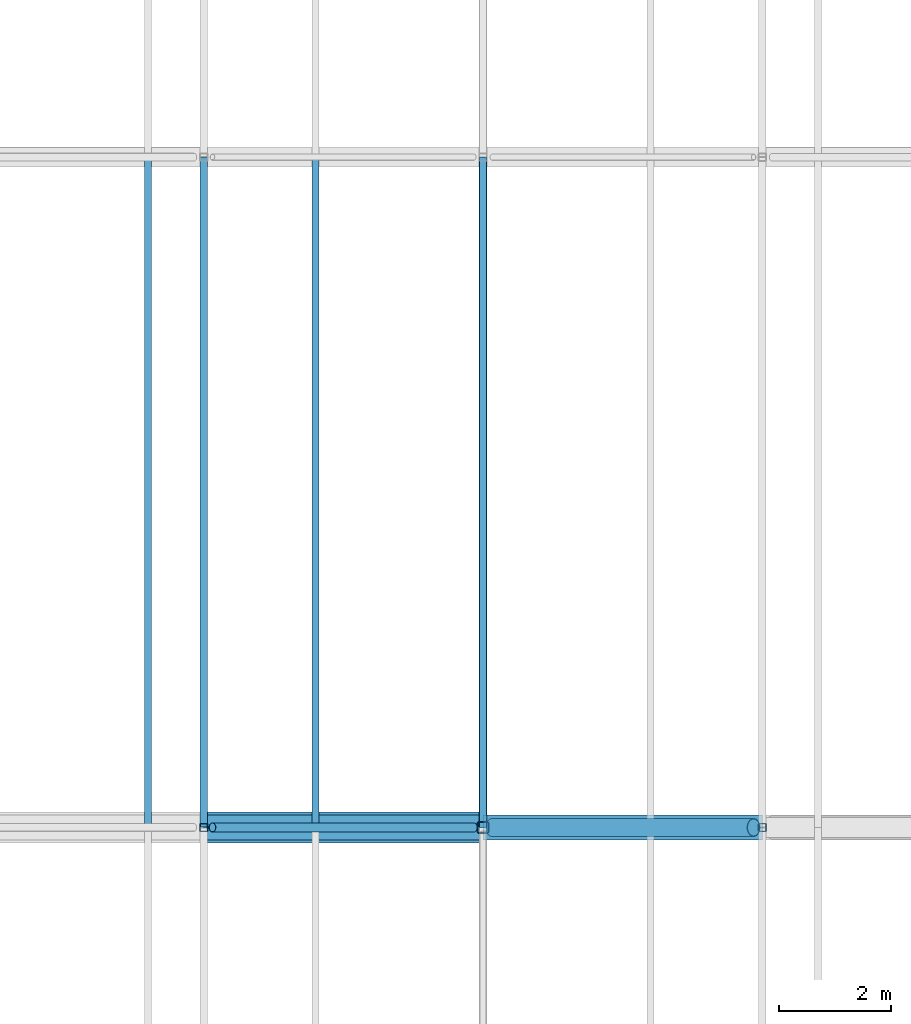
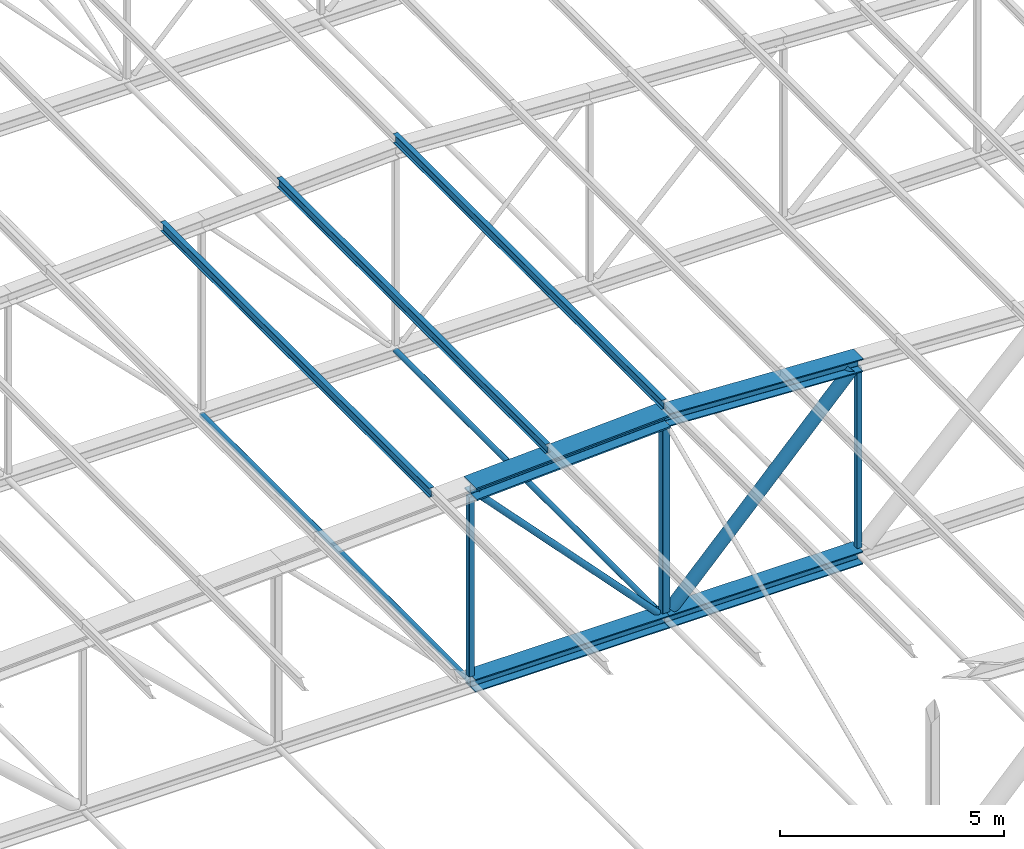
# One storey, part 76 of 156: 14 members.
"""IFC4 building model written with IfcOpenShell, lengths in metres."""

from ifc_helpers import new_model, si_unit, direction, frame, origin, origin_2d, place, context, subcontext, project, spatial, hollow_rectangle, hollow_circle, i_section, extrude, material, material_profile, profile_set, type_object, element, save


model = new_model("IFC4")

# Units and contexts
model_context = context("Model", 3, precision=1e-05, world=origin(), true_north=direction((0.0, 1.0)))
body_context = subcontext(model_context, "Body", "Model", "MODEL_VIEW")
ifc_project = project(units=[si_unit("LENGTHUNIT", "METRE"), si_unit("AREAUNIT", "SQUARE_METRE"), si_unit("VOLUMEUNIT", "CUBIC_METRE"), si_unit("PLANEANGLEUNIT", "RADIAN"), si_unit("MASSUNIT", "GRAM", prefix="KILO")], contexts=[model_context])

# Site, building, storey
site_placement = place(None, origin())
site = spatial("IfcSite", under=ifc_project, at=site_placement, CompositionType="ELEMENT")
building_placement = place(site_placement, origin())
building = spatial("IfcBuilding", under=site, at=building_placement, Name="Lilac Gate Convention Centre", CompositionType="ELEMENT")
storey_placement = place(building_placement, frame((0.0, 0.0, 17.0)))
storey = spatial("IfcBuildingStorey", under=building, at=storey_placement, Name="L03", CompositionType="ELEMENT", Elevation=17.0)

# Members
ifc_material = material(Name="Steel Q355B", Category="steel")
ifc_material_profile_1 = material_profile(ifc_material, hollow_circle(Radius=0.06982421875, WallThickness=0.0048828125, at=origin_2d()), Name="CHS139.7x5")
ifc_profile_set_1 = profile_set([ifc_material_profile_1], Name="Steel Q355B")
member_type_1 = type_object("IfcMemberType", Name="Bottom chord tie CHS139.7x5", PredefinedType="STRUT", material=ifc_profile_set_1)
for number, where, z_axis, x_axis, name in (
    (1, (55.0, 150.008056640625, 0.0), (0.0, 1.0, 0.0), (-1.0, 0.0, 0.0), "ST1 tie bay 11 node 6"),
    (2, (60.0, 150.008056640625, 0.0), (0.0, 1.0, 0.0), (-1.0, 0.0, 0.0), "ST1 tie bay 11 node 7"),
):
    element("IfcMember", number, at=place(storey_placement, frame(where, z_axis=z_axis, x_axis=x_axis)), inside=storey, type_object=member_type_1, Name=name, PredefinedType="STRUT", context=body_context, shape_type="SweptSolid", body=[
        extrude(hollow_circle(Radius=0.06982421875, WallThickness=0.0048828125, at=origin_2d()), origin(), (0.0, 0.0, 1.0), 11.982421875),
    ])
ifc_material_profile_2 = material_profile(ifc_material, i_section(OverallWidth=0.125, OverallDepth=0.25, WebThickness=0.006103515625, FlangeThickness=0.009033203125, FilletRadius=0.008056640625, at=origin_2d()), Name="HN250x125x6x9")
ifc_profile_set_2 = profile_set([ifc_material_profile_2], Name="Steel Q355B")
member_type_2 = type_object("IfcMemberType", Name="Roof purlin HN250x125x6x9", PredefinedType="PURLIN", material=ifc_profile_set_2)
for number, where, z_axis, x_axis, name in (
    (3, (54.0, 150.0, 5.500244140625), (0.0, 1.0, 0.0), (-1.0, 0.0, 0.0), "PU2 purlin bay 11 line 9"),
    (4, (57.0, 150.0, 5.650146484375), (0.0, 1.0, 0.0), (-1.0, 0.0, 0.0), "PU2 purlin bay 11 line 10"),
    (5, (60.0, 150.0, 5.80029296875), (0.0, 1.0, 0.0), (-1.0, 0.0, 0.0), "PU2 purlin bay 11 line 11"),
):
    element("IfcMember", number, at=place(storey_placement, frame(where, z_axis=z_axis, x_axis=x_axis)), inside=storey, type_object=member_type_2, Name=name, PredefinedType="PURLIN", context=body_context, shape_type="SweptSolid", body=[
        extrude(i_section(OverallWidth=0.125, OverallDepth=0.25, WebThickness=0.006103515625, FlangeThickness=0.009033203125, FilletRadius=0.008056640625, at=origin_2d()), origin(), (0.0, 0.0, 1.0), 12.0),
    ])
ifc_material_profile_3 = material_profile(ifc_material, i_section(OverallWidth=0.449951171875, OverallDepth=0.35009765625, WebThickness=0.01611328125, FlangeThickness=0.028076171875, FilletRadius=0.008056640625, at=origin_2d()), Name="WH350x450x16x28")
ifc_profile_set_3 = profile_set([ifc_material_profile_3], Name="Steel Q355B")
member_type_3 = type_object("IfcMemberType", Name="Truss bottom chord WH350x450x16x28", PredefinedType="CHORD", material=ifc_profile_set_3)
for number, where, z_axis, x_axis, name in (
    (6, (55.0, 150.0, 0.0), (1.0, 0.0, 0.0), (0.0, 1.0, 0.0), "TB4 truss 11 bottom chord 6"),
    (7, (60.0, 150.0, 0.0), (1.0, 0.0, 0.0), (0.0, 1.0, 0.0), "TB4 truss 11 bottom chord 7"),
):
    element("IfcMember", number, at=place(storey_placement, frame(where, z_axis=z_axis, x_axis=x_axis)), inside=storey, type_object=member_type_3, Name=name, PredefinedType="CHORD", context=body_context, shape_type="SweptSolid", body=[
        extrude(i_section(OverallWidth=0.449951171875, OverallDepth=0.35009765625, WebThickness=0.01611328125, FlangeThickness=0.028076171875, FilletRadius=0.008056640625, at=origin_2d()), origin(), (0.0, 0.0, 1.0), 5.0),
    ])
ifc_material_profile_4 = material_profile(ifc_material, hollow_circle(Radius=0.084228515625, WallThickness=0.006103515625, at=origin_2d()), Name="CHS168.3x6")
ifc_profile_set_4 = profile_set([ifc_material_profile_4], Name="Steel Q355B")
member_type_4 = type_object("IfcMemberType", Name="Truss diagonal CHS168.3x6", PredefinedType="BRACE", material=ifc_profile_set_4)
member_1_placement = place(storey_placement, frame((55.156494140625, 150.0, 5.085693359375), z_axis=(0.6896515765, 0.0, -0.724141355697), x_axis=(0.0, 1.0, 0.0)))
element("IfcMember", 8, at=member_1_placement, inside=storey, type_object=member_type_4, Name="TW4 truss 11 diagonal 6", PredefinedType="BRACE", context=body_context, shape_type="SweptSolid", body=[
    extrude(hollow_circle(Radius=0.084228515625, WallThickness=0.006103515625, at=origin_2d()), origin(), (0.0, 0.0, 1.0), 6.78125),
])
ifc_material_profile_5 = material_profile(ifc_material, hollow_circle(Radius=0.161865234375, WallThickness=0.011962890625, at=origin_2d()), Name="CHS323.9x12")
ifc_profile_set_5 = profile_set([ifc_material_profile_5], Name="Steel Q355B")
member_type_5 = type_object("IfcMemberType", Name="Truss diagonal CHS323.9x12", PredefinedType="BRACE", material=ifc_profile_set_5)
member_2_placement = place(storey_placement, frame((64.843505859375, 150.0, 5.085693359375), z_axis=(-0.6896515765, 0.0, -0.724141355697), x_axis=(0.0, -1.0, 0.0)))
element("IfcMember", 9, at=member_2_placement, inside=storey, type_object=member_type_5, Name="TW1 truss 11 diagonal 7", PredefinedType="BRACE", context=body_context, shape_type="SweptSolid", body=[
    extrude(hollow_circle(Radius=0.161865234375, WallThickness=0.011962890625, at=origin_2d()), origin(), (0.0, 0.0, 1.0), 6.78125),
])
ifc_material_profile_6 = material_profile(ifc_material, i_section(OverallWidth=0.449951171875, OverallDepth=0.35009765625, WebThickness=0.01611328125, FlangeThickness=0.028076171875, FilletRadius=0.008056640625, at=origin_2d()), Name="WH350x450x16x28")
ifc_profile_set_6 = profile_set([ifc_material_profile_6], Name="Steel Q355B")
member_type_6 = type_object("IfcMemberType", Name="Truss top chord WH350x450x16x28", PredefinedType="CHORD", material=ifc_profile_set_6)
member_3_placement = place(storey_placement, frame((60.0, 150.0, 5.5), z_axis=(0.998752338878, 0.0, -0.049937616944), x_axis=(0.0, 1.0, 0.0)))
element("IfcMember", 10, at=member_3_placement, inside=storey, type_object=member_type_6, Name="TT6 truss 11 top chord 7", PredefinedType="CHORD", context=body_context, shape_type="SweptSolid", body=[
    extrude(i_section(OverallWidth=0.449951171875, OverallDepth=0.35009765625, WebThickness=0.01611328125, FlangeThickness=0.028076171875, FilletRadius=0.008056640625, at=origin_2d()), origin(), (0.0, 0.0, 1.0), 5.00634765625),
])
ifc_material_profile_7 = material_profile(ifc_material, i_section(OverallWidth=0.550048828125, OverallDepth=0.35009765625, WebThickness=0.02001953125, FlangeThickness=0.0400390625, FilletRadius=0.008056640625, at=origin_2d()), Name="WH350x550x20x40")
ifc_profile_set_7 = profile_set([ifc_material_profile_7], Name="Steel Q355B")
member_type_7 = type_object("IfcMemberType", Name="Truss top chord WH350x550x20x40", PredefinedType="CHORD", material=ifc_profile_set_7)
member_4_placement = place(storey_placement, frame((55.0, 150.0, 5.25), z_axis=(0.998752338878, 0.0, 0.049937616944), x_axis=(0.0, 1.0, 0.0)))
element("IfcMember", 11, at=member_4_placement, inside=storey, type_object=member_type_7, Name="TT4 truss 11 top chord 6", PredefinedType="CHORD", context=body_context, shape_type="SweptSolid", body=[
    extrude(i_section(OverallWidth=0.550048828125, OverallDepth=0.35009765625, WebThickness=0.02001953125, FlangeThickness=0.0400390625, FilletRadius=0.008056640625, at=origin_2d()), origin(), (0.0, 0.0, 1.0), 5.00634765625),
])
ifc_material_profile_8 = material_profile(ifc_material, hollow_rectangle(XDim=0.139892578125, YDim=0.139892578125, WallThickness=0.0048828125, InnerFilletRadius=0.0048828125, OuterFilletRadius=0.010009765625, at=origin_2d()), Name="SHS140x140x5")
ifc_profile_set_8 = profile_set([ifc_material_profile_8], Name="Steel Q355B")
member_type_8 = type_object("IfcMemberType", Name="Truss vertical SHS140x140x5", PredefinedType="STRUT", material=ifc_profile_set_8)
for number, where, z_axis, x_axis, name in (
    (12, (55.0, 150.0, 0.175048828125), (0.0, 0.0, 1.0), (1.0, 0.0, 0.0), "TV4 truss 11 vertical 6"),
    (13, (65.0, 150.0, 0.175048828125), (0.0, 0.0, 1.0), (1.0, 0.0, 0.0), "TV4 truss 11 vertical 8"),
):
    element("IfcMember", number, at=place(storey_placement, frame(where, z_axis=z_axis, x_axis=x_axis)), inside=storey, type_object=member_type_8, Name=name, PredefinedType="STRUT", context=body_context, shape_type="SweptSolid", body=[
        extrude(hollow_rectangle(XDim=0.139892578125, YDim=0.139892578125, WallThickness=0.0048828125, InnerFilletRadius=0.0048828125, OuterFilletRadius=0.010009765625, at=origin_2d()), origin(), (0.0, 0.0, 1.0), 4.899658203125),
    ])
ifc_material_profile_9 = material_profile(ifc_material, hollow_rectangle(XDim=0.199951171875, YDim=0.199951171875, WallThickness=0.008056640625, InnerFilletRadius=0.011962890625, OuterFilletRadius=0.02001953125, at=origin_2d()), Name="SHS200x200x8")
ifc_profile_set_9 = profile_set([ifc_material_profile_9], Name="Steel Q355B")
member_type_9 = type_object("IfcMemberType", Name="Truss vertical SHS200x200x8", PredefinedType="STRUT", material=ifc_profile_set_9)
member_5_placement = place(storey_placement, frame((60.0, 150.0, 0.175048828125), z_axis=(0.0, 0.0, 1.0), x_axis=(1.0, 0.0, 0.0)))
element("IfcMember", 14, at=member_5_placement, inside=storey, type_object=member_type_9, Name="TV2 truss 11 vertical 7", PredefinedType="STRUT", context=body_context, shape_type="SweptSolid", body=[
    extrude(hollow_rectangle(XDim=0.199951171875, YDim=0.199951171875, WallThickness=0.008056640625, InnerFilletRadius=0.011962890625, OuterFilletRadius=0.02001953125, at=origin_2d()), origin(), (0.0, 0.0, 1.0), 5.149658203125),
])

save(model, "model.ifc")
